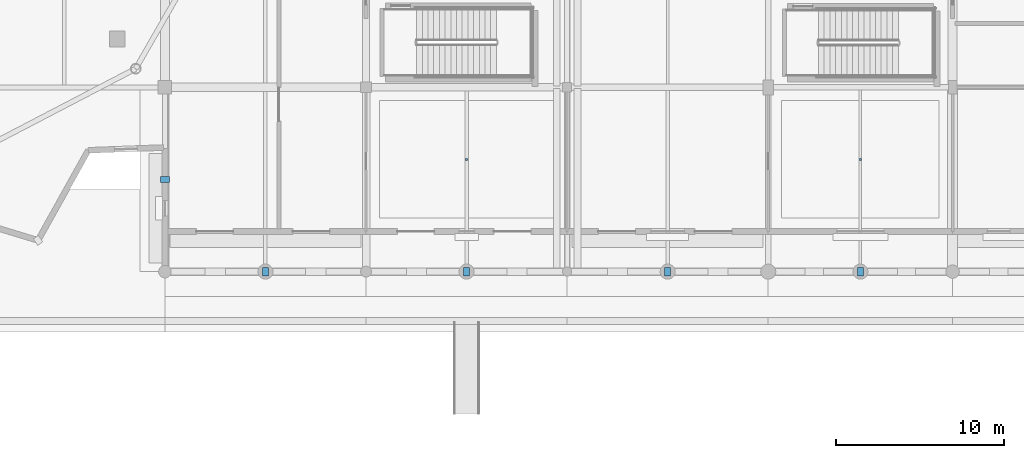
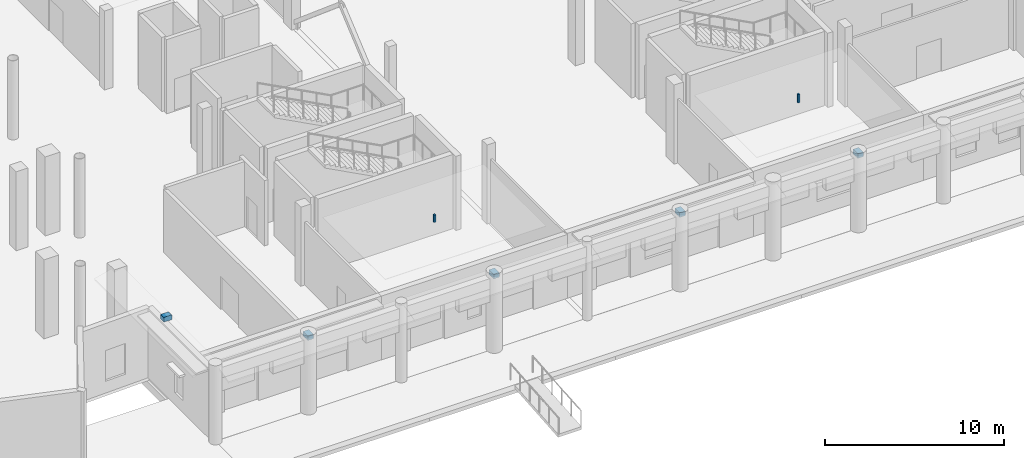
# One storey, part 84 of 120: 7 discrete accessories.
"""IFC4 building model written with IfcOpenShell, lengths in metres."""

from ifc_helpers import new_model, si_unit, direction, frame, origin, origin_2d, place, context, subcontext, project, spatial, rectangle, extrude, material, layer, layer_set, type_object, element, save


model = new_model("IFC4")

# Units and contexts
model_context = context("Model", 3, precision=1e-05, world=origin(), true_north=direction((0.0, 1.0)))
body_context = subcontext(model_context, "Body", "Model", "MODEL_VIEW")
ifc_project = project(units=[si_unit("LENGTHUNIT", "METRE"), si_unit("AREAUNIT", "SQUARE_METRE"), si_unit("VOLUMEUNIT", "CUBIC_METRE"), si_unit("PLANEANGLEUNIT", "RADIAN"), si_unit("MASSUNIT", "GRAM", prefix="KILO")], contexts=[model_context])

# Site, building, storey
site_placement = place(None, origin())
site = spatial("IfcSite", under=ifc_project, at=site_placement, CompositionType="ELEMENT")
building_placement = place(site_placement, origin())
building = spatial("IfcBuilding", under=site, at=building_placement, Name="Luwafu Chhajja Arena", CompositionType="ELEMENT")
storey_placement = place(building_placement, origin())
storey = spatial("IfcBuildingStorey", under=building, at=storey_placement, Name="L00", CompositionType="ELEMENT", Elevation=0.0)

# Discrete accessories
ifc_material = material(Name="Stainless steel bracket", Category="steel")
ifc_layer = layer(ifc_material, 0.179931640625, Name="Stainless steel bracket")
ifc_layer_set = layer_set([ifc_layer], Name="Stainless steel bracket")
discrete_accessory_type = type_object("IfcDiscreteAccessoryType", Name="Stainless Steel Facade Support Bracket", PredefinedType="BRACKET", material=ifc_layer_set)
for number, where, z_axis, x_axis, name in (
    (1, (146.0, 0.0, 4.97998046875), (0.0, 0.0, 1.0), (1.0, 0.0, 0.0), "L00 Chhajja Eave Support Bracket 0098"),
    (2, (140.0, 5.5, 4.97998046875), (0.0, 0.0, 1.0), (0.0, 1.0, 0.0), "L00 Chhajja Eave Support Bracket 0099"),
    (3, (158.0, 0.0, 4.97998046875), (0.0, 0.0, 1.0), (1.0, 0.0, 0.0), "L00 Chhajja Eave Support Bracket 0104"),
    (4, (170.0, 0.0, 4.97998046875), (0.0, 0.0, 1.0), (1.0, 0.0, 0.0), "L00 Chhajja Eave Support Bracket 0106"),
    (5, (181.5, 0.0, 4.97998046875), (0.0, 0.0, 1.0), (1.0, 0.0, 0.0), "L00 Chhajja Eave Support Bracket 0108"),
):
    element("IfcDiscreteAccessory", number, at=place(storey_placement, frame(where, z_axis=z_axis, x_axis=x_axis)), inside=storey, type_object=discrete_accessory_type, Name=name, PredefinedType="BRACKET", context=body_context, shape_type="SweptSolid", body=[
        extrude(rectangle(XDim=0.360107421875, YDim=0.52001953125, at=origin_2d()), origin(), (0.0, 0.0, 1.0), 0.320068359375),
    ])
discrete_accessory_1_placement = place(storey_placement, frame((158.0, 6.699951171875, 4.59619140625), z_axis=(0.0, 0.0, 1.0), x_axis=(1.0, 0.0, 0.0)))
element("IfcDiscreteAccessory", 6, at=discrete_accessory_1_placement, inside=storey, type_object=discrete_accessory_type, Name="L00 Ceiling Suspension Hanger 013", PredefinedType="BRACKET", context=body_context, shape_type="SweptSolid", body=[
    extrude(rectangle(XDim=0.1201171875, YDim=0.1201171875, at=origin_2d()), origin(), (0.0, 0.0, 1.0), 0.513916015625),
])
discrete_accessory_2_placement = place(storey_placement, frame((181.5, 6.699951171875, 4.519287109375), z_axis=(0.0, 0.0, 1.0), x_axis=(1.0, 0.0, 0.0)))
element("IfcDiscreteAccessory", 7, at=discrete_accessory_2_placement, inside=storey, type_object=discrete_accessory_type, Name="L00 Ceiling Suspension Hanger 017", PredefinedType="BRACKET", context=body_context, shape_type="SweptSolid", body=[
    extrude(rectangle(XDim=0.1201171875, YDim=0.1201171875, at=origin_2d()), origin(), (0.0, 0.0, 1.0), 0.5908203125),
])

save(model, "model.ifc")
